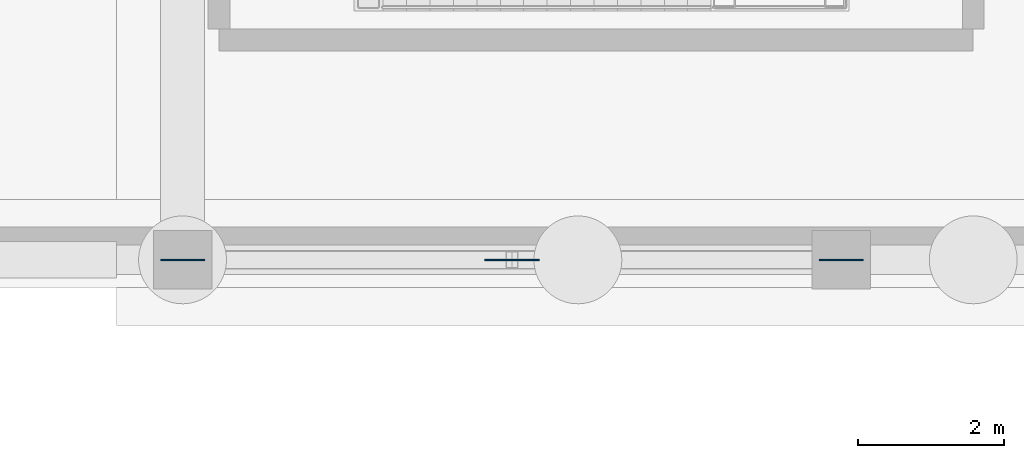
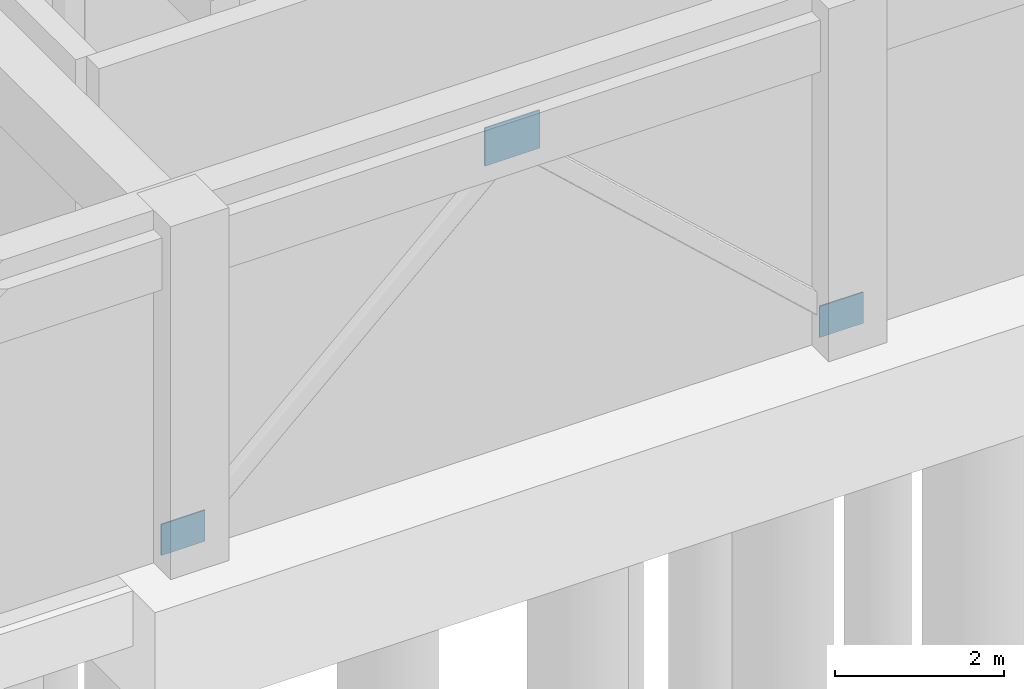
# One storey, part 36 of 62: 3 plates.
"""IFC4 building model written with IfcOpenShell, lengths in metres."""

from ifc_helpers import new_model, si_unit, direction, frame, origin, origin_2d, place, context, subcontext, project, spatial, rectangle, extrude, material, layer, layer_set, type_object, element, save


model = new_model("IFC4")

# Units and contexts
model_context = context("Model", 3, precision=1e-05, world=origin(), true_north=direction((0.0, 1.0)))
body_context = subcontext(model_context, "Body", "Model", "MODEL_VIEW")
ifc_project = project(units=[si_unit("LENGTHUNIT", "METRE"), si_unit("AREAUNIT", "SQUARE_METRE"), si_unit("VOLUMEUNIT", "CUBIC_METRE"), si_unit("PLANEANGLEUNIT", "RADIAN"), si_unit("MASSUNIT", "GRAM", prefix="KILO")], contexts=[model_context])

# Site, building, storey
site_placement = place(None, origin())
site = spatial("IfcSite", under=ifc_project, at=site_placement, CompositionType="ELEMENT")
building_placement = place(site_placement, origin())
building = spatial("IfcBuilding", under=site, at=building_placement, Name="Miravela Opera House", CompositionType="ELEMENT")
storey_placement = place(building_placement, frame((0.0, 0.0, -5.10009765625)))
storey = spatial("IfcBuildingStorey", under=building, at=storey_placement, Name="B01", CompositionType="ELEMENT", Elevation=-5.10009765625)

# Plates
ifc_material = material(Name="Structural steel ASTM A572 Gr. 50", Category="steel")
ifc_layer_1 = layer(ifc_material, 0.01806640625)
ifc_layer_set_1 = layer_set([ifc_layer_1])
plate_type_1 = type_object("IfcPlateType", Name="STR-PL-GUS-600X450X18", PredefinedType="USERDEFINED", material=ifc_layer_set_1)
for number, where, z_axis, x_axis, name in (
    (1, (27.0, 0.0, 0.0751953125), (0.0, 0.0, 1.0), (1.0, 0.0, 0.0), "Brace Wall Cast-In Embed Plate 283"),
    (2, (36.0, 0.0, 0.0751953125), (0.0, 0.0, 1.0), (1.0, 0.0, 0.0), "Brace Wall Cast-In Embed Plate 284"),
):
    element("IfcPlate", number, at=place(storey_placement, frame(where, z_axis=z_axis, x_axis=x_axis)), inside=storey, type_object=plate_type_1, Name=name, ObjectType="GUSSET PLATE", PredefinedType="USERDEFINED", context=body_context, shape_type="SweptSolid", body=[
        extrude(rectangle(XDim=0.60009765625, YDim=0.01806640625, at=origin_2d()), origin(), (0.0, 0.0, 1.0), 0.449951171875),
    ])
ifc_layer_2 = layer(ifc_material, 0.02001953125)
ifc_layer_set_2 = layer_set([ifc_layer_2])
plate_type_2 = type_object("IfcPlateType", Name="STR-PL-GUS-750X550X20", PredefinedType="USERDEFINED", material=ifc_layer_set_2)
plate_placement = place(storey_placement, frame((31.5, 0.0, 4.1552734375), z_axis=(0.0, 0.0, 1.0), x_axis=(1.0, 0.0, 0.0)))
element("IfcPlate", 3, at=plate_placement, inside=storey, type_object=plate_type_2, Name="Chevron Brace Apex Gusset Plate 282", ObjectType="GUSSET PLATE", PredefinedType="USERDEFINED", context=body_context, shape_type="SweptSolid", body=[
    extrude(rectangle(XDim=0.75, YDim=0.02001953125, at=origin_2d()), origin(), (0.0, 0.0, 1.0), 0.550048828125),
])

save(model, "model.ifc")
